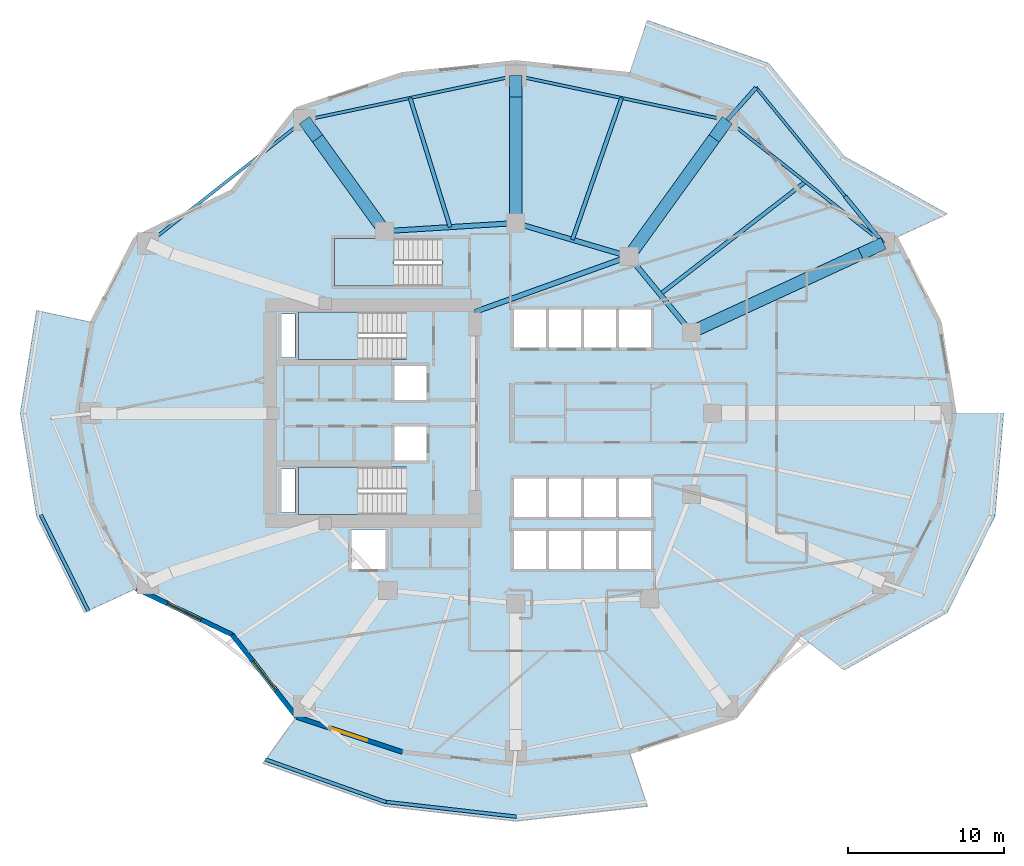
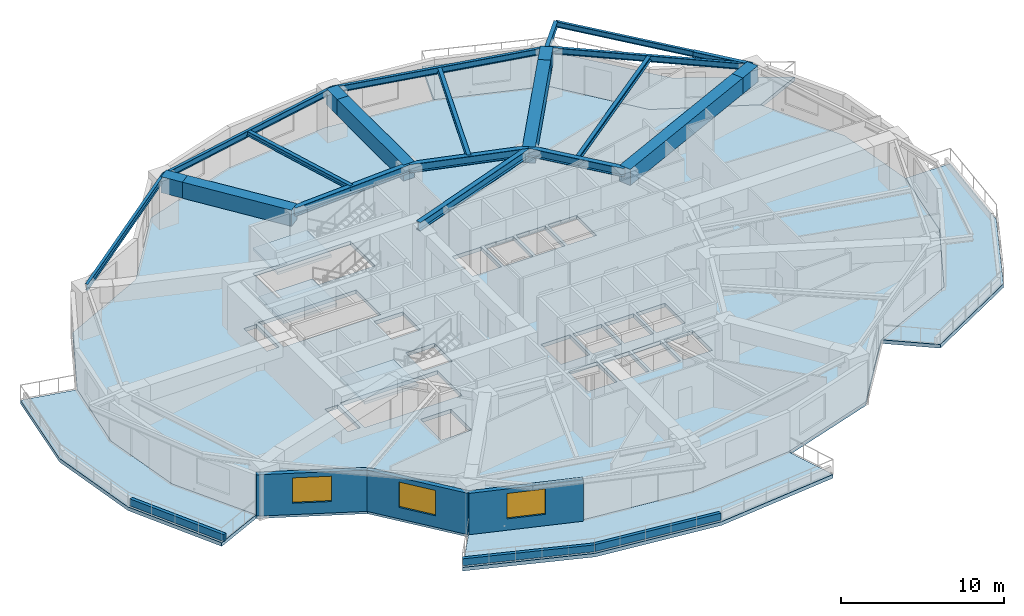
# One storey, part 2 of 13: 22 beams, 8 slabs, 6 walls, 3 windows, 3 openings, 3 elements without a shape of their own.
"""IFC4 building model written with IfcOpenShell, lengths in metres."""

from ifc_helpers import new_model, si_unit, direction, frame, frame_2d, origin, origin_2d, place, context, subcontext, project, spatial, polyline, rectangle, i_section, outline, extrude, material, layer, layer_set, material_profile, profile_set, type_object, element, fill, aggregate, save


model = new_model("IFC4")

# Units and contexts
model_context = context("Model", 3, precision=1e-05, world=origin(), true_north=direction((0.0, 1.0)))
body_context = subcontext(model_context, "Body", "Model", "MODEL_VIEW")
ifc_project = project(units=[si_unit("LENGTHUNIT", "METRE"), si_unit("AREAUNIT", "SQUARE_METRE"), si_unit("VOLUMEUNIT", "CUBIC_METRE"), si_unit("PLANEANGLEUNIT", "RADIAN"), si_unit("MASSUNIT", "GRAM", prefix="KILO")], contexts=[model_context])

# Site, building, storey
site_placement = place(None, origin())
site = spatial("IfcSite", under=ifc_project, at=site_placement, CompositionType="ELEMENT")
building_placement = place(site_placement, origin())
building = spatial("IfcBuilding", under=site, at=building_placement, Name="Kolvaren Gate Tower and Convention Centre", CompositionType="ELEMENT")
storey_placement = place(building_placement, frame((0.0, 0.0, 49.60009765625)))
storey = spatial("IfcBuildingStorey", under=building, at=storey_placement, Name="L11", CompositionType="ELEMENT", Elevation=49.60009765625)

# Beams
ifc_material_1 = material(Name="Structural steel ASTM A992 Grade 345 MPa", Category="steel")
ifc_material_profile_1 = material_profile(ifc_material_1, i_section(OverallWidth=0.260009765625, OverallDepth=0.419921875, WebThickness=0.013427734375, FlangeThickness=0.0224609375, at=origin_2d()), Name="W410X132")
ifc_profile_set_1 = profile_set([ifc_material_profile_1], Name="Structural steel ASTM A992 Grade 345 MPa")
beam_type_1 = type_object("IfcBeamType", Name="STR-BM-W410X132", PredefinedType="BEAM", material=ifc_profile_set_1)
beam_1_placement = place(storey_placement, frame((53.710205078125, 37.8935546875, 3.3603515625), z_axis=(-0.631511301837, 0.775366671744, 0.0), x_axis=(-0.775366671744, -0.631511301837, 0.0)))
element("IfcBeam", 1, at=beam_1_placement, inside=storey, type_object=beam_type_1, Name="Tower L12 Planted Balcony Outrigger Cantilever BC-1A", PredefinedType="BEAM", context=body_context, shape_type="SweptSolid", body=[
    extrude(i_section(OverallWidth=0.260009765625, OverallDepth=0.419921875, WebThickness=0.013427734375, FlangeThickness=0.0224609375, at=origin_2d()), origin(), (0.0, 0.0, 1.0), 3.89990234375),
])
beam_2_placement = place(storey_placement, frame((43.690185546875, 45.79638671875, 3.3603515625), z_axis=(0.662751128883, 0.748839729958, 0.0), x_axis=(-0.748839729958, 0.662751128883, 0.0)))
element("IfcBeam", 2, at=beam_2_placement, inside=storey, type_object=beam_type_1, Name="Tower L12 Planted Balcony Outrigger Cantilever BC-1B", PredefinedType="BEAM", context=body_context, shape_type="SweptSolid", body=[
    extrude(i_section(OverallWidth=0.260009765625, OverallDepth=0.419921875, WebThickness=0.013427734375, FlangeThickness=0.0224609375, at=origin_2d()), origin(), (0.0, 0.0, 1.0), 2.79345703125),
])
ifc_material_profile_2 = material_profile(ifc_material_1, i_section(OverallWidth=0.327880859375, OverallDepth=0.6279296875, WebThickness=0.0166015625, FlangeThickness=0.027587890625, at=origin_2d()), Name="W610X217")
ifc_profile_set_2 = profile_set([ifc_material_profile_2], Name="Structural steel ASTM A992 Grade 345 MPa")
beam_type_2 = type_object("IfcBeamType", Name="STR-BM-W610X217", PredefinedType="BEAM", material=ifc_profile_set_2)
beam_3_placement = place(storey_placement, frame((41.382080078125, 32.199462890625, 3.255859375), z_axis=(-0.635884066011, 0.771784590798, 0.0), x_axis=(-0.771784590798, -0.635884066011, 0.0)))
element("IfcBeam", 3, at=beam_3_placement, inside=storey, type_object=beam_type_2, Name="Tower L11 Primary Ring Girder G-02", PredefinedType="BEAM", context=body_context, shape_type="SweptSolid", body=[
    extrude(i_section(OverallWidth=0.327880859375, OverallDepth=0.6279296875, WebThickness=0.0166015625, FlangeThickness=0.027587890625, at=origin_2d()), origin(), (0.0, 0.0, 1.0), 6.291259765625),
])
beam_4_placement = place(storey_placement, frame((37.381591796875, 37.054931640625, 3.255859375), z_axis=(-0.958980837827, 0.283470902706, 0.0), x_axis=(-0.283470902706, -0.958980837827, 0.0)))
element("IfcBeam", 4, at=beam_4_placement, inside=storey, type_object=beam_type_2, Name="Tower L11 Primary Ring Girder G-03", PredefinedType="BEAM", context=body_context, shape_type="SweptSolid", body=[
    extrude(i_section(OverallWidth=0.327880859375, OverallDepth=0.6279296875, WebThickness=0.0166015625, FlangeThickness=0.027587890625, at=origin_2d()), origin(), (0.0, 0.0, 1.0), 7.56689453125),
])
beam_5_placement = place(storey_placement, frame((30.125, 39.199951171875, 3.255859375), z_axis=(-0.998078258568, -0.06196603726, 0.0), x_axis=(0.06196603726, -0.998078258568, 0.0)))
element("IfcBeam", 5, at=beam_5_placement, inside=storey, type_object=beam_type_2, Name="Tower L11 Primary Ring Girder G-04", PredefinedType="BEAM", context=body_context, shape_type="SweptSolid", body=[
    extrude(i_section(OverallWidth=0.327880859375, OverallDepth=0.6279296875, WebThickness=0.0166015625, FlangeThickness=0.027587890625, at=origin_2d()), origin(), (0.0, 0.0, 1.0), 8.443115234375),
])
beam_6_placement = place(storey_placement, frame((27.5, 33.5, 3.255859375), z_axis=(0.940961479908, 0.338513653093, 0.0), x_axis=(-0.338513653093, 0.940961479908, 0.0)))
element("IfcBeam", 6, at=beam_6_placement, inside=storey, type_object=beam_type_2, Name="Tower L11 Primary Ring Girder G-10", PredefinedType="BEAM", context=body_context, shape_type="SweptSolid", body=[
    extrude(i_section(OverallWidth=0.327880859375, OverallDepth=0.6279296875, WebThickness=0.0166015625, FlangeThickness=0.027587890625, at=origin_2d()), origin(), (0.0, 0.0, 1.0), 10.501708984375),
])
ifc_material_profile_3 = material_profile(ifc_material_1, i_section(OverallWidth=0.2548828125, OverallDepth=0.35693359375, WebThickness=0.010498046875, FlangeThickness=0.018310546875, at=origin_2d()), Name="W360X101")
ifc_profile_set_3 = profile_set([ifc_material_profile_3], Name="Structural steel ASTM A992 Grade 345 MPa")
beam_type_3 = type_object("IfcBeamType", Name="STR-JS-W360X101", PredefinedType="JOIST", material=ifc_profile_set_3)
beam_7_placement = place(storey_placement, frame((39.3818359375, 34.627197265625, 3.391357421875), z_axis=(0.790577493994, 0.612362005671, 0.0), x_axis=(-0.612362005671, 0.790577493994, 0.0)))
element("IfcBeam", 7, at=beam_7_placement, inside=storey, type_object=beam_type_3, Name="Tower L11 Secondary Composite Floor Joist J-02.1", PredefinedType="JOIST", context=body_context, shape_type="SweptSolid", body=[
    extrude(i_section(OverallWidth=0.2548828125, OverallDepth=0.35693359375, WebThickness=0.010498046875, FlangeThickness=0.018310546875, at=origin_2d()), origin(), (0.0, 0.0, 1.0), 11.786865234375),
])
beam_8_placement = place(storey_placement, frame((33.75341796875, 38.12744140625, 3.391357421875), z_axis=(0.327647050942, 0.944800195813, 0.0), x_axis=(-0.944800195813, 0.327647050942, 0.0)))
element("IfcBeam", 8, at=beam_8_placement, inside=storey, type_object=beam_type_3, Name="Tower L11 Secondary Composite Floor Joist J-03.1", PredefinedType="JOIST", context=body_context, shape_type="SweptSolid", body=[
    extrude(i_section(OverallWidth=0.2548828125, OverallDepth=0.35693359375, WebThickness=0.010498046875, FlangeThickness=0.018310546875, at=origin_2d()), origin(), (0.0, 0.0, 1.0), 9.627197265625),
])
beam_9_placement = place(storey_placement, frame((25.91162109375, 38.938232421875, 3.391357421875), z_axis=(-0.296205333134, 0.955124285433, 0.0), x_axis=(-0.955124285433, -0.296205333134, 0.0)))
element("IfcBeam", 9, at=beam_9_placement, inside=storey, type_object=beam_type_3, Name="Tower L11 Secondary Composite Floor Joist J-04.1", PredefinedType="JOIST", context=body_context, shape_type="SweptSolid", body=[
    extrude(i_section(OverallWidth=0.2548828125, OverallDepth=0.35693359375, WebThickness=0.010498046875, FlangeThickness=0.018310546875, at=origin_2d()), origin(), (0.0, 0.0, 1.0), 8.674072265625),
])
ifc_material_profile_4 = material_profile(ifc_material_1, i_section(OverallWidth=0.180908203125, OverallDepth=0.4169921875, WebThickness=0.010986328125, FlangeThickness=0.018310546875, at=origin_2d()), Name="W410X85")
ifc_profile_set_4 = profile_set([ifc_material_profile_4], Name="Structural steel ASTM A992 Grade 345 MPa")
beam_type_4 = type_object("IfcBeamType", Name="STR-SP-W410X85", PredefinedType="SPANDREL", material=ifc_profile_set_4)
beam_10_placement = place(storey_placement, frame((51.247314453125, 40.91748046875, 3.36181640625), z_axis=(-0.63340454775, 0.773820831259, 0.0), x_axis=(-0.773820831259, -0.63340454775, 0.0)))
element("IfcBeam", 10, at=beam_10_placement, inside=storey, type_object=beam_type_4, Name="Tower L12 Planted Balcony Header Tie Beam BT-1", PredefinedType="SPANDREL", context=body_context, shape_type="SweptSolid", body=[
    extrude(i_section(OverallWidth=0.180908203125, OverallDepth=0.4169921875, WebThickness=0.010986328125, FlangeThickness=0.018310546875, at=origin_2d()), origin(), (0.0, 0.0, 1.0), 9.008056640625),
])
ifc_material_profile_5 = material_profile(ifc_material_1, i_section(OverallWidth=0.194091796875, OverallDepth=0.468994140625, WebThickness=0.0126953125, FlangeThickness=0.0205078125, at=origin_2d()), Name="W460X106")
ifc_profile_set_5 = profile_set([ifc_material_profile_5], Name="Structural steel ASTM A992 Grade 345 MPa")
beam_type_5 = type_object("IfcBeamType", Name="STR-SP-W460X106", PredefinedType="SPANDREL", material=ifc_profile_set_5)
beam_11_placement = place(storey_placement, frame((53.710205078125, 37.8935546875, 3.33544921875), z_axis=(-0.785176498861, 0.619272044933, 0.0), x_axis=(-0.619272044933, -0.785176498861, 0.0)))
element("IfcBeam", 11, at=beam_11_placement, inside=storey, type_object=beam_type_5, Name="Tower L11 Perimeter Spandrel Beam SP-02", PredefinedType="SPANDREL", context=body_context, shape_type="SweptSolid", body=[
    extrude(i_section(OverallWidth=0.194091796875, OverallDepth=0.468994140625, WebThickness=0.0126953125, FlangeThickness=0.0205078125, at=origin_2d()), origin(), (0.0, 0.0, 1.0), 12.761474609375),
])
for number, where, z_axis, x_axis, name in (
    (12, (43.690185546875, 45.79638671875, 3.33544921875), (-0.978583407863, 0.205850707685, 0.0), (-0.205850707685, -0.978583407863, 0.0), "Tower L11 Perimeter Spandrel Beam SP-03"),
    (13, (30.125, 48.64990234375, 3.33544921875), (-0.978583407863, -0.205850707685, 0.0), (0.205850707685, -0.978583407863, 0.0), "Tower L11 Perimeter Spandrel Beam SP-04"),
):
    element("IfcBeam", number, at=place(storey_placement, frame(where, z_axis=z_axis, x_axis=x_axis)), inside=storey, type_object=beam_type_5, Name=name, PredefinedType="SPANDREL", context=body_context, shape_type="SweptSolid", body=[
        extrude(i_section(OverallWidth=0.194091796875, OverallDepth=0.468994140625, WebThickness=0.0126953125, FlangeThickness=0.0205078125, at=origin_2d()), origin(), (0.0, 0.0, 1.0), 13.862060546875),
    ])
beam_12_placement = place(storey_placement, frame((16.559814453125, 45.79638671875, 3.33544921875), z_axis=(-0.785176498861, -0.619272044933, 0.0), x_axis=(0.619272044933, -0.785176498861, 0.0)))
element("IfcBeam", 14, at=beam_12_placement, inside=storey, type_object=beam_type_5, Name="Tower L11 Perimeter Spandrel Beam SP-05", PredefinedType="SPANDREL", context=body_context, shape_type="SweptSolid", body=[
    extrude(i_section(OverallWidth=0.194091796875, OverallDepth=0.468994140625, WebThickness=0.0126953125, FlangeThickness=0.0205078125, at=origin_2d()), origin(), (0.0, 0.0, 1.0), 12.761474609375),
])
ifc_material_2 = material(Name="Concrete C70/85", Category="concrete")
ifc_material_profile_6 = material_profile(ifc_material_2, rectangle(XDim=0.800048828125, YDim=1.199951171875, at=origin_2d()), Name="RC-BM-800X1200")
ifc_profile_set_6 = profile_set([ifc_material_profile_6], Name="Concrete C70/85")
beam_type_6 = type_object("IfcBeamType", Name="STR-TG-RC800X1200", PredefinedType="USERDEFINED", material=ifc_profile_set_6)
beam_13_placement = place(storey_placement, frame((41.382080078125, 32.199462890625, 2.970458984375), z_axis=(0.907843538102, 0.419309086864, 0.0), x_axis=(-0.419309086864, 0.907843538102, 0.0)))
element("IfcBeam", 15, at=beam_13_placement, inside=storey, type_object=beam_type_6, Name="Tower L11 Zone-Transition Radial Transfer Girder XFG-02A", ObjectType="TRANSFER GIRDER", PredefinedType="USERDEFINED", context=body_context, shape_type="SweptSolid", body=[
    extrude(rectangle(XDim=0.800048828125, YDim=1.199951171875, at=origin_2d()), origin(), (0.0, 0.0, 1.0), 11.9697265625),
])
beam_14_placement = place(storey_placement, frame((52.248779296875, 37.218505859375, 2.970458984375), z_axis=(0.907830616486, 0.419337062243, 0.0), x_axis=(-0.419337062243, 0.907830616486, 0.0)))
element("IfcBeam", 16, at=beam_14_placement, inside=storey, type_object=beam_type_6, Name="Tower L11 Zone-Transition Radial Transfer Girder XFG-02B", ObjectType="TRANSFER GIRDER", PredefinedType="USERDEFINED", context=body_context, shape_type="SweptSolid", body=[
    extrude(rectangle(XDim=0.800048828125, YDim=1.199951171875, at=origin_2d()), origin(), (0.0, 0.0, 1.0), 1.60986328125),
])
beam_15_placement = place(storey_placement, frame((37.381591796875, 37.054931640625, 2.970458984375), z_axis=(0.585207971848, 0.810883240477, 0.0), x_axis=(-0.810883240477, 0.585207971848, 0.0)))
element("IfcBeam", 17, at=beam_15_placement, inside=storey, type_object=beam_type_6, Name="Tower L11 Zone-Transition Radial Transfer Girder XFG-03A", ObjectType="TRANSFER GIRDER", PredefinedType="USERDEFINED", context=body_context, shape_type="SweptSolid", body=[
    extrude(rectangle(XDim=0.800048828125, YDim=1.199951171875, at=origin_2d()), origin(), (0.0, 0.0, 1.0), 9.33837890625),
])
beam_16_placement = place(storey_placement, frame((42.846435546875, 44.627197265625, 2.970458984375), z_axis=(0.585187582445, 0.810897954956, 0.0), x_axis=(-0.810897954956, 0.585187582445, 0.0)))
element("IfcBeam", 18, at=beam_16_placement, inside=storey, type_object=beam_type_6, Name="Tower L11 Zone-Transition Radial Transfer Girder XFG-03B", ObjectType="TRANSFER GIRDER", PredefinedType="USERDEFINED", context=body_context, shape_type="SweptSolid", body=[
    extrude(rectangle(XDim=0.800048828125, YDim=1.199951171875, at=origin_2d()), origin(), (0.0, 0.0, 1.0), 1.44189453125),
])
beam_17_placement = place(storey_placement, frame((30.125, 39.199951171875, 2.970458984375), z_axis=(0.0, 1.0, 0.0), x_axis=(-1.0, 0.0, 0.0)))
element("IfcBeam", 19, at=beam_17_placement, inside=storey, type_object=beam_type_6, Name="Tower L11 Zone-Transition Radial Transfer Girder XFG-04A", ObjectType="TRANSFER GIRDER", PredefinedType="USERDEFINED", context=body_context, shape_type="SweptSolid", body=[
    extrude(rectangle(XDim=0.800048828125, YDim=1.199951171875, at=origin_2d()), origin(), (0.0, 0.0, 1.0), 8.10009765625),
])
beam_18_placement = place(storey_placement, frame((30.125, 47.300048828125, 2.970458984375), z_axis=(0.0, 1.0, 0.0), x_axis=(-1.0, 0.0, 0.0)))
element("IfcBeam", 20, at=beam_18_placement, inside=storey, type_object=beam_type_6, Name="Tower L11 Zone-Transition Radial Transfer Girder XFG-04B", ObjectType="TRANSFER GIRDER", PredefinedType="USERDEFINED", context=body_context, shape_type="SweptSolid", body=[
    extrude(rectangle(XDim=0.800048828125, YDim=1.199951171875, at=origin_2d()), origin(), (0.0, 0.0, 1.0), 1.349853515625),
])
beam_19_placement = place(storey_placement, frame((21.697998046875, 38.6767578125, 2.970458984375), z_axis=(-0.585190474102, 0.810895868173, 0.0), x_axis=(-0.810895868173, -0.585190474102, 0.0)))
element("IfcBeam", 21, at=beam_19_placement, inside=storey, type_object=beam_type_6, Name="Tower L11 Zone-Transition Radial Transfer Girder XFG-05A", ObjectType="TRANSFER GIRDER", PredefinedType="USERDEFINED", context=body_context, shape_type="SweptSolid", body=[
    extrude(rectangle(XDim=0.800048828125, YDim=1.199951171875, at=origin_2d()), origin(), (0.0, 0.0, 1.0), 7.338134765625),
])
beam_20_placement = place(storey_placement, frame((17.40380859375, 44.627197265625, 2.970458984375), z_axis=(-0.585298906554, 0.810817605869, 0.0), x_axis=(-0.810817605869, -0.585298906554, 0.0)))
element("IfcBeam", 22, at=beam_20_placement, inside=storey, type_object=beam_type_6, Name="Tower L11 Zone-Transition Radial Transfer Girder XFG-05B", ObjectType="TRANSFER GIRDER", PredefinedType="USERDEFINED", context=body_context, shape_type="SweptSolid", body=[
    extrude(rectangle(XDim=0.800048828125, YDim=1.199951171875, at=origin_2d()), origin(), (0.0, 0.0, 1.0), 1.44189453125),
])

# Slabs
ifc_material_3 = material(Name="Concrete C50/60", Category="concrete")
ifc_layer_1 = layer(ifc_material_3, 0.27001953125)
ifc_layer_set_1 = layer_set([ifc_layer_1], Name="Concrete C50/60")
slab_type_1 = type_object("IfcSlabType", Name="STR-SL-BALC-270", PredefinedType="FLOOR", material=ifc_layer_set_1)
slab_1_placement = place(storey_placement, frame((0.0, 0.0, -0.27001953125)))
element("IfcSlab", 23, at=slab_1_placement, inside=storey, type_object=slab_type_1, Name="Tower L11 Planted Balcony Terrace Slab 1 (North)", PredefinedType="FLOOR", context=body_context, shape_type="SweptSolid", body=[
    extrude(outline(polyline([(54.48193359375, 38.25), (48.315185546875, 41.212890625), (44.1875, 46.485595703125), (37.404296875, 48.7333984375), (38.566650390625, 52.203857421875), (46.329345703125, 49.453369140625), (51.19921875, 43.46630859375), (57.8046875, 39.78466796875), (54.48193359375, 38.25)])), origin(), (0.0, 0.0, 1.0), 0.27001953125),
])
slab_2_placement = place(storey_placement, frame((0.0, 0.0, -0.27001953125)))
element("IfcSlab", 24, at=slab_2_placement, inside=storey, type_object=slab_type_1, Name="Tower L11 Planted Balcony Terrace Slab 2 (West)", PredefinedType="FLOOR", context=body_context, shape_type="SweptSolid", body=[
    extrude(outline(polyline([(2.958251953125, 32.823486328125), (2.0, 27.0), (2.958251953125, 21.176513671875), (5.76806640625, 15.75), (2.4453125, 14.21533203125), (-0.620361328125, 20.409423828125), (-1.659912109375, 27.0), (-0.620361328125, 33.590576171875), (2.958251953125, 32.823486328125)])), origin(), (0.0, 0.0, 1.0), 0.27001953125),
])
slab_3_placement = place(storey_placement, frame((0.0, 0.0, -0.27001953125)))
element("IfcSlab", 25, at=slab_3_placement, inside=storey, type_object=slab_type_1, Name="Tower L11 Planted Balcony Terrace Slab 3 (South)", PredefinedType="FLOOR", context=body_context, shape_type="SweptSolid", body=[
    extrude(outline(polyline([(16.0625, 7.514404296875), (22.845703125, 5.2666015625), (30.125, 4.5), (37.404296875, 5.2666015625), (38.566650390625, 1.796142578125), (30.125, 0.840087890625), (21.683349609375, 1.796142578125), (13.920654296875, 4.546630859375), (16.0625, 7.514404296875)])), origin(), (0.0, 0.0, 1.0), 0.27001953125),
])
slab_4_placement = place(storey_placement, frame((0.0, 0.0, -0.27001953125)))
element("IfcSlab", 26, at=slab_4_placement, inside=storey, type_object=slab_type_1, Name="Tower L11 Planted Balcony Terrace Slab 4 (East)", PredefinedType="FLOOR", context=body_context, shape_type="SweptSolid", body=[
    extrude(outline(polyline([(48.315185546875, 12.787109375), (54.48193359375, 15.75), (57.291748046875, 21.176513671875), (58.25, 27.0), (61.419921875, 27.0), (60.870361328125, 20.409423828125), (57.8046875, 14.21533203125), (51.19921875, 10.53369140625), (48.315185546875, 12.787109375)])), origin(), (0.0, 0.0, 1.0), 0.27001953125),
])
ifc_layer_2 = layer(ifc_material_3, 0.280029296875)
ifc_layer_set_2 = layer_set([ifc_layer_2], Name="Concrete C50/60")
slab_type_2 = type_object("IfcSlabType", Name="STR-SL-FLR-280", PredefinedType="FLOOR", material=ifc_layer_set_2)
slab_5_placement = place(storey_placement, frame((0.0, 0.0, -0.280029296875)))
element("IfcSlab", 27, at=slab_5_placement, inside=storey, type_object=slab_type_2, Name="Tower L11 Structural Floor Slab", PredefinedType="FLOOR", context=body_context, shape_type="SweptSolid", body=[
    extrude(outline(polyline([(58.25, 27.0), (57.291748046875, 32.823486328125), (54.48193359375, 38.25), (48.315185546875, 41.212890625), (44.1875, 46.485595703125), (37.404296875, 48.7333984375), (30.125, 49.5), (22.845703125, 48.7333984375), (16.0625, 46.485595703125), (11.934814453125, 41.212890625), (5.76806640625, 38.25), (2.958251953125, 32.823486328125), (2.0, 27.0), (2.958251953125, 21.176513671875), (5.76806640625, 15.75), (11.934814453125, 12.787109375), (16.0625, 7.514404296875), (22.845703125, 5.2666015625), (30.125, 4.5), (37.404296875, 5.2666015625), (44.1875, 7.514404296875), (48.315185546875, 12.787109375), (54.48193359375, 15.75), (57.291748046875, 21.176513671875), (58.25, 27.0)]), holes=[polyline([(36.75, 33.64990234375), (38.800048828125, 33.64990234375), (38.800048828125, 31.199951171875), (36.75, 31.199951171875), (36.75, 33.64990234375)]), polyline([(36.75, 20.35009765625), (36.75, 22.800048828125), (38.800048828125, 22.800048828125), (38.800048828125, 20.35009765625), (36.75, 20.35009765625)]), polyline([(36.75, 17.0), (36.75, 19.449951171875), (38.800048828125, 19.449951171875), (38.800048828125, 17.0), (36.75, 17.0)]), polyline([(34.5, 33.64990234375), (36.550048828125, 33.64990234375), (36.550048828125, 31.199951171875), (34.5, 31.199951171875), (34.5, 33.64990234375)]), polyline([(34.5, 22.800048828125), (36.550048828125, 22.800048828125), (36.550048828125, 20.35009765625), (34.5, 20.35009765625), (34.5, 22.800048828125)]), polyline([(34.5, 17.0), (34.5, 19.449951171875), (36.550048828125, 19.449951171875), (36.550048828125, 17.0), (34.5, 17.0)]), polyline([(32.25, 31.199951171875), (32.25, 33.64990234375), (34.300048828125, 33.64990234375), (34.300048828125, 31.199951171875), (32.25, 31.199951171875)]), polyline([(32.25, 22.800048828125), (34.300048828125, 22.800048828125), (34.300048828125, 20.35009765625), (32.25, 20.35009765625), (32.25, 22.800048828125)]), polyline([(32.25, 17.0), (32.25, 19.449951171875), (34.300048828125, 19.449951171875), (34.300048828125, 17.0), (32.25, 17.0)]), polyline([(30.0, 31.199951171875), (30.0, 33.64990234375), (32.050048828125, 33.64990234375), (32.050048828125, 31.199951171875), (30.0, 31.199951171875)]), polyline([(30.0, 20.35009765625), (30.0, 22.800048828125), (32.050048828125, 22.800048828125), (32.050048828125, 20.35009765625), (30.0, 20.35009765625)]), polyline([(30.0, 17.0), (30.0, 19.449951171875), (32.050048828125, 19.449951171875), (32.050048828125, 17.0), (30.0, 17.0)]), polyline([(25.39990234375, 35.159912109375), (18.5, 35.159912109375), (18.5, 38.199951171875), (25.39990234375, 38.199951171875), (25.39990234375, 35.159912109375)]), polyline([(22.35009765625, 27.840087890625), (22.35009765625, 30.0400390625), (24.39990234375, 30.0400390625), (24.39990234375, 27.840087890625), (22.35009765625, 27.840087890625)]), polyline([(22.35009765625, 23.9599609375), (22.35009765625, 26.159912109375), (24.39990234375, 26.159912109375), (24.39990234375, 23.9599609375), (22.35009765625, 23.9599609375)]), polyline([(23.10009765625, 30.4599609375), (16.199951171875, 30.4599609375), (16.199951171875, 33.5), (23.10009765625, 33.5), (23.10009765625, 30.4599609375)]), polyline([(23.10009765625, 20.5), (16.199951171875, 20.5), (16.199951171875, 23.5400390625), (23.10009765625, 23.5400390625), (23.10009765625, 20.5)]), polyline([(19.60009765625, 17.0), (19.60009765625, 19.550048828125), (21.75, 19.550048828125), (21.75, 17.0), (19.60009765625, 17.0)]), polyline([(15.080078125, 23.419921875), (15.969970703125, 23.419921875), (15.969970703125, 20.6298828125), (15.080078125, 20.6298828125), (15.080078125, 23.419921875)]), polyline([(15.080078125, 30.580078125), (15.080078125, 33.3701171875), (15.969970703125, 33.3701171875), (15.969970703125, 30.580078125), (15.080078125, 30.580078125)])]), origin(), (0.0, 0.0, 1.0), 0.280029296875),
])

# Stair, slab
stair_type = type_object("IfcStairType", Name="STR-STAIR-CORE", PredefinedType="HALF_TURN_STAIR", material=ifc_material_3)
stair_1_placement = place(storey_placement, origin())
stair_1 = element("IfcStair", 28, at=stair_1_placement, inside=storey, type_object=stair_type, Name="L11 Tower North Exit Stair ST-T1", PredefinedType="HALF_TURN_STAIR")
ifc_layer_3 = layer(ifc_material_3, 0.199951171875)
ifc_layer_set_3 = layer_set([ifc_layer_3], Name="Concrete C50/60")
slab_type_3 = type_object("IfcSlabType", Name="STR-SL-LAND-200", PredefinedType="LANDING", material=ifc_layer_set_3)
slab_6_placement = place(storey_placement, frame((0.0, 0.0, 1.724853515625)))
slab_6 = element("IfcSlab", 29, at=slab_6_placement, type_object=slab_type_3, Name="ST-T1 landing 1", PredefinedType="LANDING", context=body_context, shape_type="SweptSolid", body=[
    extrude(outline(polyline([(20.0, 33.5), (16.199951171875, 33.5), (16.199951171875, 30.4599609375), (20.0, 30.4599609375), (20.0, 33.5)])), origin(), (0.0, 0.0, 1.0), 0.199951171875),
])
aggregate(stair_1, [slab_6])

stair_2_placement = place(storey_placement, origin())
stair_2 = element("IfcStair", 30, at=stair_2_placement, inside=storey, type_object=stair_type, Name="L11 Tower South Exit Stair ST-T2", PredefinedType="HALF_TURN_STAIR")
slab_7_placement = place(storey_placement, frame((0.0, 0.0, 1.724853515625)))
slab_7 = element("IfcSlab", 31, at=slab_7_placement, type_object=slab_type_3, Name="ST-T2 landing 1", PredefinedType="LANDING", context=body_context, shape_type="SweptSolid", body=[
    extrude(outline(polyline([(20.0, 23.5400390625), (16.199951171875, 23.5400390625), (16.199951171875, 20.5), (20.0, 20.5), (20.0, 23.5400390625)])), origin(), (0.0, 0.0, 1.0), 0.199951171875),
])
aggregate(stair_2, [slab_7])

stair_3_placement = place(storey_placement, origin())
stair_3 = element("IfcStair", 32, at=stair_3_placement, inside=storey, type_object=stair_type, Name="L11 Tower Mid-Zone Exit Stair ST-T3", PredefinedType="HALF_TURN_STAIR")
slab_8_placement = place(storey_placement, frame((0.0, 0.0, 1.724853515625)))
slab_8 = element("IfcSlab", 33, at=slab_8_placement, type_object=slab_type_3, Name="ST-T3 landing 1", PredefinedType="LANDING", context=body_context, shape_type="SweptSolid", body=[
    extrude(outline(polyline([(22.300048828125, 38.199951171875), (18.5, 38.199951171875), (18.5, 35.159912109375), (22.300048828125, 35.159912109375), (22.300048828125, 38.199951171875)])), origin(), (0.0, 0.0, 1.0), 0.199951171875),
])
aggregate(stair_3, [slab_8])

# Walls
ifc_material_4 = material(Name="Piedmont Cream Honed Limestone Cladding", Category="masonry")
ifc_layer_4 = layer(ifc_material_4, 0.219970703125)
ifc_layer_set_4 = layer_set([ifc_layer_4], Name="Piedmont Cream Honed Limestone Cladding")
wall_type_1 = type_object("IfcWallType", Name="ARCH-WL-PLANTER-220", PredefinedType="PARAPET", material=ifc_layer_set_4)
wall_1_placement = place(storey_placement, frame((-0.3544921875, 20.49755859375, 0.0), z_axis=(0.0, 0.0, 1.0), x_axis=(0.443578479433, -0.8962355341, 0.0)))
element("IfcWall", 34, at=wall_1_placement, inside=storey, type_object=wall_type_1, Name="Vertical-Forest Balcony Stone Planter Kerb PK-L11-2.3", PredefinedType="PARAPET", context=body_context, shape_type="SweptSolid", body=[
    extrude(rectangle(XDim=6.9111328125, YDim=0.219970703125, at=frame_2d((3.45556640625, 0.0))), origin(), (0.0, 0.0, 1.0), 0.52001953125),
])
wall_2_placement = place(storey_placement, frame((14.04931640625, 4.79541015625, 0.0), z_axis=(0.0, 0.0, 1.0), x_axis=(0.942581348797, -0.333976647237, 0.0)))
element("IfcWall", 35, at=wall_2_placement, inside=storey, type_object=wall_type_1, Name="Vertical-Forest Balcony Stone Planter Kerb PK-L11-3.1", PredefinedType="PARAPET", context=body_context, shape_type="SweptSolid", body=[
    extrude(rectangle(XDim=8.235595703125, YDim=0.219970703125, at=frame_2d((4.11767578125, 0.0))), origin(), (0.0, 0.0, 1.0), 0.52001953125),
])
wall_3_placement = place(storey_placement, frame((21.728759765625, 2.072509765625, 0.0), z_axis=(0.0, 0.0, 1.0), x_axis=(0.993644541351, -0.112563428535, 0.0)))
element("IfcWall", 36, at=wall_3_placement, inside=storey, type_object=wall_type_1, Name="Vertical-Forest Balcony Stone Planter Kerb PK-L11-3.2", PredefinedType="PARAPET", context=body_context, shape_type="SweptSolid", body=[
    extrude(rectangle(XDim=8.49560546875, YDim=0.219970703125, at=frame_2d((4.247802734375, 0.0))), origin(), (0.0, 0.0, 1.0), 0.52001953125),
])

# Wall, opening, window
ifc_layer_5 = layer(ifc_material_4, 0.300048828125)
ifc_layer_set_5 = layer_set([ifc_layer_5], Name="Piedmont Cream Honed Limestone Cladding")
wall_type_2 = type_object("IfcWallType", Name="ARCH-WL-STONE-300", PredefinedType="SOLIDWALL", material=ifc_layer_set_5)
wall_4_placement = place(storey_placement, frame((5.76806640625, 15.75, 0.0), z_axis=(0.0, 0.0, 1.0), x_axis=(0.901360393999, -0.433069786673, 0.0)))
wall_4 = element("IfcWall", 37, at=wall_4_placement, inside=storey, type_object=wall_type_2, Name="Tower L11 Honed Stone Spandrel Wall EW-14", PredefinedType="SOLIDWALL", context=body_context, shape_type="SweptSolid", body=[
    extrude(rectangle(XDim=6.841552734375, YDim=0.300048828125, at=frame_2d((3.4208984375, 0.0))), origin(), (0.0, 0.0, 1.0), 3.093017578125),
])
opening_1_placement = place(wall_4_placement, frame((2.220947265625, 0.0, 0.85009765625)))
opening_1 = element("IfcOpeningElement", 38, at=opening_1_placement, cuts=wall_4, Name="Opening W-01", PredefinedType="OPENING", context=body_context, shape_type="SweptSolid", body=[
    extrude(rectangle(XDim=2.39990234375, YDim=1.89990234375, at=frame_2d((1.199951171875, 0.949951171875))), frame((0.0, 0.159912109375, 0.0), z_axis=(0.0, -1.0, 0.0), x_axis=(1.0, 0.0, 0.0)), (0.0, 0.0, 1.0), 0.320068359375),
])
ifc_material_5 = material(Name="Low-E Triple Insulated Glazing Unit 44 mm", Category="glass")
window_type = type_object("IfcWindowType", Name="ARCH-WN-OFF-2400", PartitioningType="SINGLE_PANEL", PredefinedType="WINDOW", material=ifc_material_5)
window_1_placement = place(opening_1_placement, origin())
window_1 = element("IfcWindow", 39, at=window_1_placement, inside=storey, type_object=window_type, Name="Tower L11 Punched Stone Facade Window W-14", OverallHeight=1.89990234375, OverallWidth=2.39990234375, PartitioningType="SINGLE_PANEL", PredefinedType="WINDOW", context=body_context, shape_type="SweptSolid", body=[
    extrude(rectangle(XDim=2.39990234375, YDim=1.89990234375, at=frame_2d((1.199951171875, 0.949951171875))), frame((0.0, 0.030029296875, 0.0), z_axis=(0.0, -1.0, 0.0), x_axis=(1.0, 0.0, 0.0)), (0.0, 0.0, 1.0), 0.06005859375),
])
fill(opening_1, window_1)

wall_5_placement = place(storey_placement, frame((11.934814453125, 12.787109375, 0.0), z_axis=(0.0, 0.0, 1.0), x_axis=(0.616421309777, -0.787416515482, 0.0)))
wall_5 = element("IfcWall", 40, at=wall_5_placement, inside=storey, type_object=wall_type_2, Name="Tower L11 Honed Stone Spandrel Wall EW-15", PredefinedType="SOLIDWALL", context=body_context, shape_type="SweptSolid", body=[
    extrude(rectangle(XDim=6.6962890625, YDim=0.300048828125, at=frame_2d((3.34814453125, 0.0))), origin(), (0.0, 0.0, 1.0), 3.093017578125),
])
opening_2_placement = place(wall_5_placement, frame((2.14794921875, 0.0, 0.85009765625)))
opening_2 = element("IfcOpeningElement", 41, at=opening_2_placement, cuts=wall_5, Name="Opening W-01", PredefinedType="OPENING", context=body_context, shape_type="SweptSolid", body=[
    extrude(rectangle(XDim=2.39990234375, YDim=1.89990234375, at=frame_2d((1.199951171875, 0.949951171875))), frame((0.0, 0.159912109375, 0.0), z_axis=(0.0, -1.0, 0.0), x_axis=(1.0, 0.0, 0.0)), (0.0, 0.0, 1.0), 0.320068359375),
])
window_2_placement = place(opening_2_placement, origin())
window_2 = element("IfcWindow", 42, at=window_2_placement, inside=storey, type_object=window_type, Name="Tower L11 Punched Stone Facade Window W-15", OverallHeight=1.89990234375, OverallWidth=2.39990234375, PartitioningType="SINGLE_PANEL", PredefinedType="WINDOW", context=body_context, shape_type="SweptSolid", body=[
    extrude(rectangle(XDim=2.39990234375, YDim=1.89990234375, at=frame_2d((1.199951171875, 0.949951171875))), frame((0.0, 0.030029296875, 0.0), z_axis=(0.0, -1.0, 0.0), x_axis=(1.0, 0.0, 0.0)), (0.0, 0.0, 1.0), 0.06005859375),
])
fill(opening_2, window_2)

wall_6_placement = place(storey_placement, frame((16.0625, 7.514404296875, 0.0), z_axis=(0.0, 0.0, 1.0), x_axis=(0.949238715533, -0.31455661006, 0.0)))
wall_6 = element("IfcWall", 43, at=wall_6_placement, inside=storey, type_object=wall_type_2, Name="Tower L11 Honed Stone Spandrel Wall EW-16", PredefinedType="SOLIDWALL", context=body_context, shape_type="SweptSolid", body=[
    extrude(rectangle(XDim=7.14599609375, YDim=0.300048828125, at=frame_2d((3.572998046875, 0.0))), origin(), (0.0, 0.0, 1.0), 3.093017578125),
])
opening_3_placement = place(wall_6_placement, frame((2.373046875, 0.0, 0.85009765625)))
opening_3 = element("IfcOpeningElement", 44, at=opening_3_placement, cuts=wall_6, Name="Opening W-01", PredefinedType="OPENING", context=body_context, shape_type="SweptSolid", body=[
    extrude(rectangle(XDim=2.39990234375, YDim=1.89990234375, at=frame_2d((1.199951171875, 0.949951171875))), frame((0.0, 0.159912109375, 0.0), z_axis=(0.0, -1.0, 0.0), x_axis=(1.0, 0.0, 0.0)), (0.0, 0.0, 1.0), 0.320068359375),
])
window_3_placement = place(opening_3_placement, origin())
window_3 = element("IfcWindow", 45, at=window_3_placement, inside=storey, type_object=window_type, Name="Tower L11 Punched Stone Facade Window W-16", OverallHeight=1.89990234375, OverallWidth=2.39990234375, PartitioningType="SINGLE_PANEL", PredefinedType="WINDOW", context=body_context, shape_type="SweptSolid", body=[
    extrude(rectangle(XDim=2.39990234375, YDim=1.89990234375, at=frame_2d((1.199951171875, 0.949951171875))), frame((0.0, 0.030029296875, 0.0), z_axis=(0.0, -1.0, 0.0), x_axis=(1.0, 0.0, 0.0)), (0.0, 0.0, 1.0), 0.06005859375),
])
fill(opening_3, window_3)

save(model, "model.ifc")
